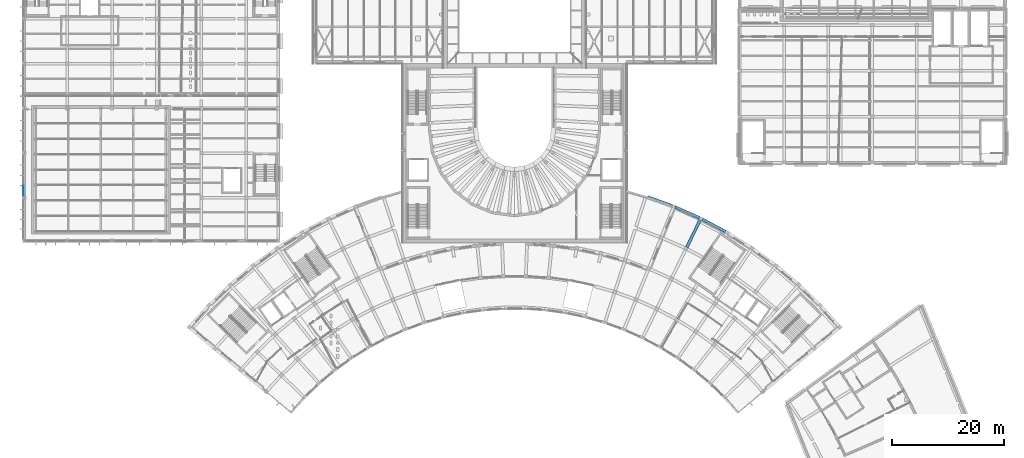
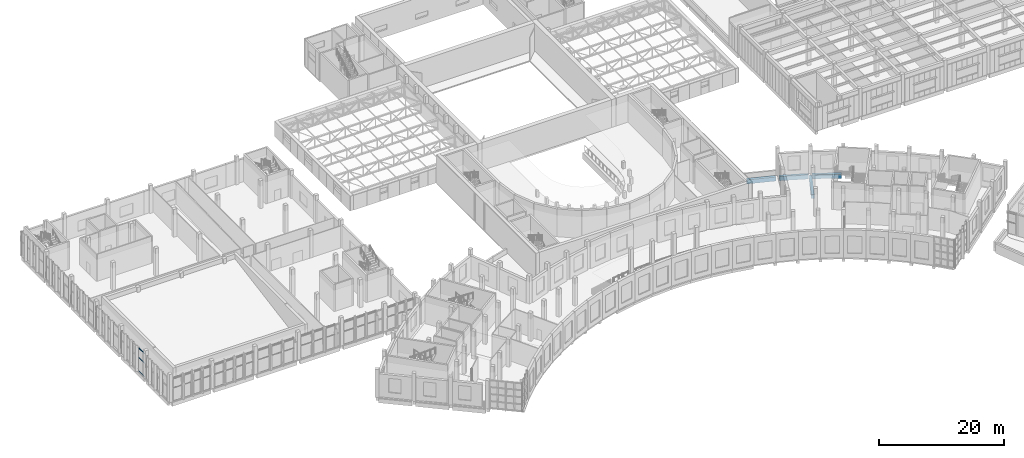
# One storey, part 14 of 132: 4 beams, 3 members, 1 element without a shape of its own.
"""IFC4 building model written with IfcOpenShell, lengths in metres."""

from ifc_helpers import new_model, si_unit, direction, frame, origin, origin_2d, place, context, subcontext, project, spatial, rectangle, extrude, material, layer, layer_set, material_profile, profile_set, type_object, element, aggregate, save


model = new_model("IFC4")

# Units and contexts
model_context = context("Model", 3, precision=1e-05, world=origin(), true_north=direction((0.0, 1.0)))
body_context = subcontext(model_context, "Body", "Model", "MODEL_VIEW")
ifc_project = project(units=[si_unit("LENGTHUNIT", "METRE"), si_unit("AREAUNIT", "SQUARE_METRE"), si_unit("VOLUMEUNIT", "CUBIC_METRE"), si_unit("PLANEANGLEUNIT", "RADIAN"), si_unit("MASSUNIT", "GRAM", prefix="KILO")], contexts=[model_context])

# Site, building, storey
site_placement = place(None, origin())
site = spatial("IfcSite", under=ifc_project, at=site_placement, CompositionType="ELEMENT")
building_placement = place(site_placement, origin())
building = spatial("IfcBuilding", under=site, at=building_placement, Name="Lunette Opera House", CompositionType="ELEMENT")
storey_placement = place(building_placement, frame((0.0, 0.0, 17.0)))
storey = spatial("IfcBuildingStorey", under=building, at=storey_placement, Name="L03", CompositionType="ELEMENT", Elevation=17.0)

# Beams
ifc_material_1 = material(Name="Concrete C35/45", Category="concrete")
ifc_material_profile_1 = material_profile(ifc_material_1, rectangle(XDim=0.5, YDim=0.800048828125, at=origin_2d()), Name="RC BEAM 500X800")
ifc_profile_set_1 = profile_set([ifc_material_profile_1], Name="Concrete C35/45")
beam_type = type_object("IfcBeamType", Name="RC BEAM 500X800", PredefinedType="BEAM", material=ifc_profile_set_1)
beam_1_placement = place(storey_placement, frame((126.81298828125, 63.176025390625, -0.6201171875), z_axis=(0.438327792699, 0.898815190207, 0.0), x_axis=(-0.898815190207, 0.438327792699, 0.0)))
element("IfcBeam", 1, at=beam_1_placement, inside=storey, type_object=beam_type, Name="beam-FC-L03-L03-RB-RL-20-4", PredefinedType="BEAM", context=body_context, shape_type="SweptSolid", body=[
    extrude(rectangle(XDim=0.5, YDim=0.800048828125, at=origin_2d()), origin(), (0.0, 0.0, 1.0), 5.420654296875),
])
beam_2_placement = place(storey_placement, frame((119.758056640625, 72.180908203125, -0.6201171875), z_axis=(0.939671138767, -0.342079158921, 0.0), x_axis=(0.342079158921, 0.939671138767, 0.0)))
element("IfcBeam", 2, at=beam_2_placement, inside=storey, type_object=beam_type, Name="beam-FC-L03-L03-RG-AR-C-RL-18", PredefinedType="BEAM", context=body_context, shape_type="SweptSolid", body=[
    extrude(rectangle(XDim=0.5, YDim=0.800048828125, at=origin_2d()), origin(), (0.0, 0.0, 1.0), 4.723876953125),
])
beam_3_placement = place(storey_placement, frame((124.735107421875, 70.347900390625, -0.6201171875), z_axis=(0.91352150634, -0.40679043432, 0.0), x_axis=(0.40679043432, 0.91352150634, 0.0)))
element("IfcBeam", 3, at=beam_3_placement, inside=storey, type_object=beam_type, Name="beam-FC-L03-L03-RG-AR-C-RL-19", PredefinedType="BEAM", context=body_context, shape_type="SweptSolid", body=[
    extrude(rectangle(XDim=0.5, YDim=0.800048828125, at=origin_2d()), origin(), (0.0, 0.0, 1.0), 4.724365234375),
])
beam_4_placement = place(storey_placement, frame((129.572021484375, 68.172119140625, -0.6201171875), z_axis=(0.882965814701, -0.46943729088, 0.0), x_axis=(0.46943729088, 0.882965814701, 0.0)))
element("IfcBeam", 4, at=beam_4_placement, inside=storey, type_object=beam_type, Name="beam-FC-L03-L03-RG-AR-C-RL-20", PredefinedType="BEAM", context=body_context, shape_type="SweptSolid", body=[
    extrude(rectangle(XDim=0.5, YDim=0.800048828125, at=origin_2d()), origin(), (0.0, 0.0, 1.0), 4.724853515625),
])

# Curtain wall, members
ifc_material_2 = material(Name="Aluminium", Category="aluminium")
ifc_layer = layer(ifc_material_2, 0.179931640625)
ifc_layer_set = layer_set([ifc_layer], Name="Aluminium")
curtain_wall_type = type_object("IfcCurtainWallType", Name="SUN FACE CURTAIN WALL", PredefinedType="NOTDEFINED", material=ifc_layer_set)
curtain_wall_placement = place(storey_placement, origin())
curtain_wall = element("IfcCurtainWall", 5, at=curtain_wall_placement, inside=storey, type_object=curtain_wall_type, Name="Sun Face Curtain Wall F17 L03", PredefinedType="NOTDEFINED")
ifc_material_3 = material(Name="Aluminium", Category="aluminium")
ifc_material_profile_2 = material_profile(ifc_material_3, rectangle(XDim=0.06005859375, YDim=0.139892578125, at=origin_2d()), Name="TRANSOM 60 X 140")
ifc_profile_set_2 = profile_set([ifc_material_profile_2], Name="Aluminium")
member_type = type_object("IfcMemberType", Name="TRANSOM 60 X 140", PredefinedType="USERDEFINED", material=ifc_profile_set_2)
member_1_placement = place(storey_placement, frame((8.181884765625, 74.135009765625, 0.030029296875), z_axis=(0.0, -1.0, 0.0), x_axis=(1.0, 0.0, 0.0)))
member_1 = element("IfcMember", 6, at=member_1_placement, type_object=member_type, Name="RW-X2047 transom 4.1", ObjectType="TRANSOM", PredefinedType="USERDEFINED", context=body_context, shape_type="SweptSolid", body=[
    extrude(rectangle(XDim=0.06005859375, YDim=0.139892578125, at=origin_2d()), origin(), (0.0, 0.0, 1.0), 1.7451171875),
])
member_2_placement = place(storey_placement, frame((8.181884765625, 74.135009765625, 2.675048828125), z_axis=(0.0, -1.0, 0.0), x_axis=(1.0, 0.0, 0.0)))
member_2 = element("IfcMember", 7, at=member_2_placement, type_object=member_type, Name="RW-X2047 transom 4.2", ObjectType="TRANSOM", PredefinedType="USERDEFINED", context=body_context, shape_type="SweptSolid", body=[
    extrude(rectangle(XDim=0.06005859375, YDim=0.139892578125, at=origin_2d()), origin(), (0.0, 0.0, 1.0), 1.7451171875),
])
member_3_placement = place(storey_placement, frame((8.181884765625, 74.135009765625, 4.52001953125), z_axis=(0.0, -1.0, 0.0), x_axis=(1.0, 0.0, 0.0)))
member_3 = element("IfcMember", 8, at=member_3_placement, type_object=member_type, Name="RW-X2047 transom 4.3", ObjectType="TRANSOM", PredefinedType="USERDEFINED", context=body_context, shape_type="SweptSolid", body=[
    extrude(rectangle(XDim=0.06005859375, YDim=0.139892578125, at=origin_2d()), origin(), (0.0, 0.0, 1.0), 1.7451171875),
])
aggregate(curtain_wall, [member_1, member_2, member_3])

save(model, "model.ifc")
